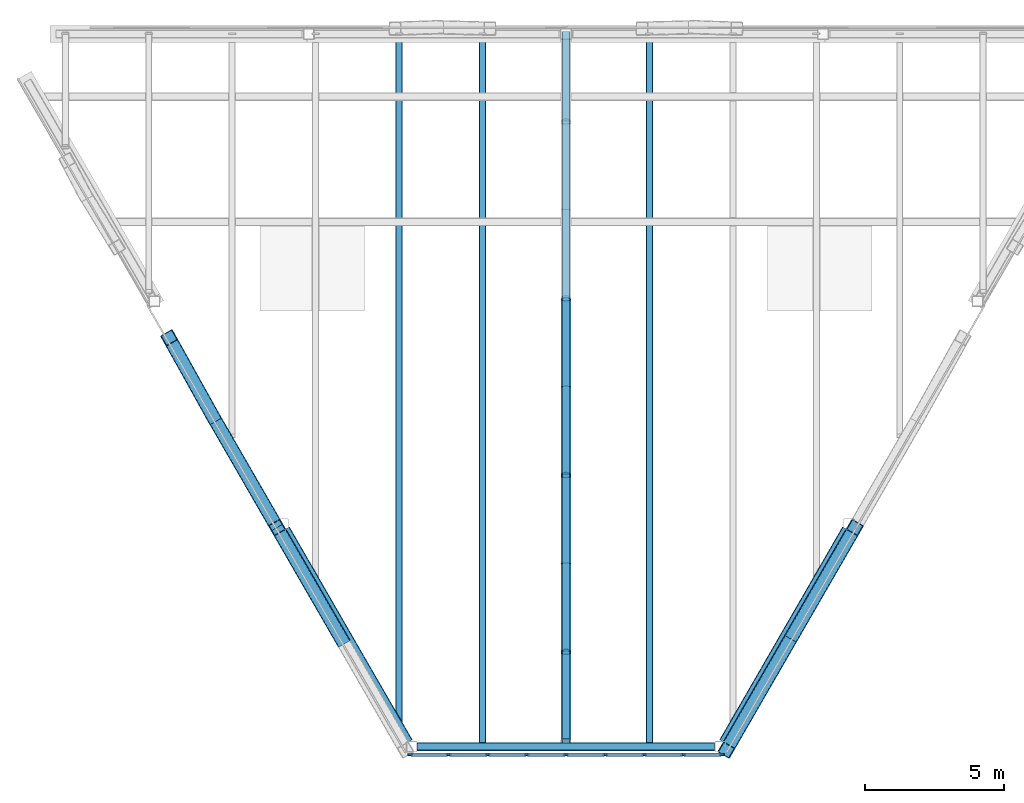
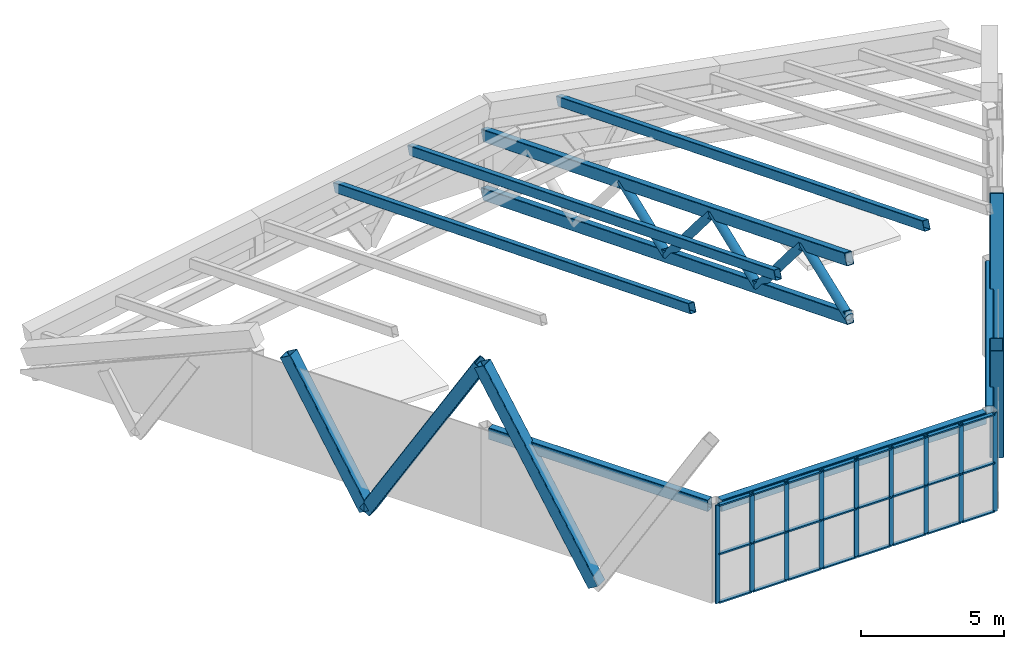
# One storey, part 2 of 6: 48 members, 3 beams, 1 element without a shape of its own.
"""IFC4 building model written with IfcOpenShell, lengths in metres."""

from ifc_helpers import new_model, si_unit, direction, frame, origin, origin_2d, place, context, subcontext, project, spatial, rectangle, hollow_rectangle, hollow_circle, extrude, material, material_profile, profile_set, type_object, element, aggregate, save


model = new_model("IFC4")

# Units and contexts
model_context = context("Model", 3, precision=1e-05, world=origin(), true_north=direction((0.0, 1.0)))
body_context = subcontext(model_context, "Body", "Model", "MODEL_VIEW")
ifc_project = project(units=[si_unit("LENGTHUNIT", "METRE"), si_unit("AREAUNIT", "SQUARE_METRE"), si_unit("VOLUMEUNIT", "CUBIC_METRE"), si_unit("PLANEANGLEUNIT", "RADIAN"), si_unit("MASSUNIT", "GRAM", prefix="KILO")], contexts=[model_context])

# Site, building, storey
site_placement = place(None, origin())
site = spatial("IfcSite", under=ifc_project, at=site_placement, CompositionType="ELEMENT")
building_placement = place(site_placement, origin())
building = spatial("IfcBuilding", under=site, at=building_placement, Name="Aloe Facet Convention Tower", CompositionType="ELEMENT")
storey_placement = place(building_placement, frame((0.0, 0.0, 293.89990234375)))
storey = spatial("IfcBuildingStorey", under=building, at=storey_placement, Name="C3", CompositionType="ELEMENT", Elevation=293.89990234375)

# Curtain wall, members
ifc_material_1 = material(Name="Aluminium, anodised", Category="aluminium")
curtain_wall_type = type_object("IfcCurtainWallType", Name="EV-CW-CROWN", PredefinedType="USERDEFINED", material=ifc_material_1)
curtain_wall_placement = place(storey_placement, origin())
curtain_wall = element("IfcCurtainWall", 1, at=curtain_wall_placement, inside=storey, type_object=curtain_wall_type, Name="CW-C3-Z09", ObjectType="CROWN SCREEN GLAZING", PredefinedType="USERDEFINED")
ifc_material_2 = material(Name="Aluminium, anodised", Category="aluminium")
ifc_material_profile_1 = material_profile(ifc_material_2, rectangle(XDim=0.06005859375, YDim=0.179931640625, at=origin_2d()), Name="AL 60x180")
ifc_profile_set_1 = profile_set([ifc_material_profile_1], Name="Aluminium, anodised")
member_type_1 = type_object("IfcMemberType", Name="EV-MULL-CROWN", PredefinedType="MULLION", material=ifc_profile_set_1)
member_1_placement = place(storey_placement, frame((74.401611328125, 108.890625, 0.0), z_axis=(0.0, 0.0, 1.0), x_axis=(0.0, 1.0, 0.0)))
member_1 = element("IfcMember", 2, at=member_1_placement, type_object=member_type_1, Name="CW-C3-Z09 mullion 1", PredefinedType="MULLION", context=body_context, shape_type="SweptSolid", body=[
    extrude(rectangle(XDim=0.06005859375, YDim=0.179931640625, at=origin_2d()), origin(), (0.0, 0.0, 1.0), 4.2001953125),
])
member_2_placement = place(storey_placement, frame((75.77880859375, 108.890625, 0.0), z_axis=(0.0, 0.0, 1.0), x_axis=(0.0, 1.0, 0.0)))
member_2 = element("IfcMember", 3, at=member_2_placement, type_object=member_type_1, Name="CW-C3-Z09 mullion 2", PredefinedType="MULLION", context=body_context, shape_type="SweptSolid", body=[
    extrude(rectangle(XDim=0.06005859375, YDim=0.179931640625, at=origin_2d()), origin(), (0.0, 0.0, 1.0), 4.2001953125),
])
member_3_placement = place(storey_placement, frame((77.185791015625, 108.890625, 0.0), z_axis=(0.0, 0.0, 1.0), x_axis=(0.0, 1.0, 0.0)))
member_3 = element("IfcMember", 4, at=member_3_placement, type_object=member_type_1, Name="CW-C3-Z09 mullion 3", PredefinedType="MULLION", context=body_context, shape_type="SweptSolid", body=[
    extrude(rectangle(XDim=0.06005859375, YDim=0.179931640625, at=origin_2d()), origin(), (0.0, 0.0, 1.0), 4.2001953125),
])
member_4_placement = place(storey_placement, frame((78.593017578125, 108.890625, 0.0), z_axis=(0.0, 0.0, 1.0), x_axis=(0.0, 1.0, 0.0)))
member_4 = element("IfcMember", 5, at=member_4_placement, type_object=member_type_1, Name="CW-C3-Z09 mullion 4", PredefinedType="MULLION", context=body_context, shape_type="SweptSolid", body=[
    extrude(rectangle(XDim=0.06005859375, YDim=0.179931640625, at=origin_2d()), origin(), (0.0, 0.0, 1.0), 4.2001953125),
])
member_5_placement = place(storey_placement, frame((80.0, 108.890625, 0.0), z_axis=(0.0, 0.0, 1.0), x_axis=(0.0, 1.0, 0.0)))
member_5 = element("IfcMember", 6, at=member_5_placement, type_object=member_type_1, Name="CW-C3-Z09 mullion 5", PredefinedType="MULLION", context=body_context, shape_type="SweptSolid", body=[
    extrude(rectangle(XDim=0.06005859375, YDim=0.179931640625, at=origin_2d()), origin(), (0.0, 0.0, 1.0), 4.2001953125),
])
member_6_placement = place(storey_placement, frame((81.406982421875, 108.890625, 0.0), z_axis=(0.0, 0.0, 1.0), x_axis=(0.0, 1.0, 0.0)))
member_6 = element("IfcMember", 7, at=member_6_placement, type_object=member_type_1, Name="CW-C3-Z09 mullion 6", PredefinedType="MULLION", context=body_context, shape_type="SweptSolid", body=[
    extrude(rectangle(XDim=0.06005859375, YDim=0.179931640625, at=origin_2d()), origin(), (0.0, 0.0, 1.0), 4.2001953125),
])
member_7_placement = place(storey_placement, frame((82.814208984375, 108.890625, 0.0), z_axis=(0.0, 0.0, 1.0), x_axis=(0.0, 1.0, 0.0)))
member_7 = element("IfcMember", 8, at=member_7_placement, type_object=member_type_1, Name="CW-C3-Z09 mullion 7", PredefinedType="MULLION", context=body_context, shape_type="SweptSolid", body=[
    extrude(rectangle(XDim=0.06005859375, YDim=0.179931640625, at=origin_2d()), origin(), (0.0, 0.0, 1.0), 4.2001953125),
])
member_8_placement = place(storey_placement, frame((84.22119140625, 108.890625, 0.0), z_axis=(0.0, 0.0, 1.0), x_axis=(0.0, 1.0, 0.0)))
member_8 = element("IfcMember", 9, at=member_8_placement, type_object=member_type_1, Name="CW-C3-Z09 mullion 8", PredefinedType="MULLION", context=body_context, shape_type="SweptSolid", body=[
    extrude(rectangle(XDim=0.06005859375, YDim=0.179931640625, at=origin_2d()), origin(), (0.0, 0.0, 1.0), 4.2001953125),
])
member_9_placement = place(storey_placement, frame((85.598388671875, 108.890625, 0.0), z_axis=(0.0, 0.0, 1.0), x_axis=(0.0, 1.0, 0.0)))
member_9 = element("IfcMember", 10, at=member_9_placement, type_object=member_type_1, Name="CW-C3-Z09 mullion 9", PredefinedType="MULLION", context=body_context, shape_type="SweptSolid", body=[
    extrude(rectangle(XDim=0.06005859375, YDim=0.179931640625, at=origin_2d()), origin(), (0.0, 0.0, 1.0), 4.2001953125),
])
ifc_material_3 = material(Name="Aluminium, anodised", Category="aluminium")
ifc_material_profile_2 = material_profile(ifc_material_3, rectangle(XDim=0.139892578125, YDim=0.06005859375, at=origin_2d()), Name="AL 140x60")
ifc_profile_set_2 = profile_set([ifc_material_profile_2], Name="Aluminium, anodised")
member_type_2 = type_object("IfcMemberType", Name="EV-TRAN-CROWN", PredefinedType="USERDEFINED", material=ifc_profile_set_2)
member_10_placement = place(storey_placement, frame((74.431640625, 108.890625, 0.030029296875), z_axis=(1.0, 0.0, 0.0), x_axis=(0.0, 1.0, 0.0)))
member_10 = element("IfcMember", 11, at=member_10_placement, type_object=member_type_2, Name="CW-C3-Z09 transom 1.1", ObjectType="TRANSOM", PredefinedType="USERDEFINED", context=body_context, shape_type="SweptSolid", body=[
    extrude(rectangle(XDim=0.139892578125, YDim=0.06005859375, at=origin_2d()), origin(), (0.0, 0.0, 1.0), 1.317138671875),
])
member_11_placement = place(storey_placement, frame((74.431640625, 108.890625, 2.10009765625), z_axis=(1.0, 0.0, 0.0), x_axis=(0.0, 1.0, 0.0)))
member_11 = element("IfcMember", 12, at=member_11_placement, type_object=member_type_2, Name="CW-C3-Z09 transom 1.2", ObjectType="TRANSOM", PredefinedType="USERDEFINED", context=body_context, shape_type="SweptSolid", body=[
    extrude(rectangle(XDim=0.139892578125, YDim=0.06005859375, at=origin_2d()), origin(), (0.0, 0.0, 1.0), 1.317138671875),
])
member_12_placement = place(storey_placement, frame((74.431640625, 108.890625, 4.170166015625), z_axis=(1.0, 0.0, 0.0), x_axis=(0.0, 1.0, 0.0)))
member_12 = element("IfcMember", 13, at=member_12_placement, type_object=member_type_2, Name="CW-C3-Z09 transom 1.3", ObjectType="TRANSOM", PredefinedType="USERDEFINED", context=body_context, shape_type="SweptSolid", body=[
    extrude(rectangle(XDim=0.139892578125, YDim=0.06005859375, at=origin_2d()), origin(), (0.0, 0.0, 1.0), 1.317138671875),
])
member_13_placement = place(storey_placement, frame((75.808837890625, 108.890625, 0.030029296875), z_axis=(1.0, 0.0, 0.0), x_axis=(0.0, 1.0, 0.0)))
member_13 = element("IfcMember", 14, at=member_13_placement, type_object=member_type_2, Name="CW-C3-Z09 transom 2.1", ObjectType="TRANSOM", PredefinedType="USERDEFINED", context=body_context, shape_type="SweptSolid", body=[
    extrude(rectangle(XDim=0.139892578125, YDim=0.06005859375, at=origin_2d()), origin(), (0.0, 0.0, 1.0), 1.346923828125),
])
member_14_placement = place(storey_placement, frame((75.808837890625, 108.890625, 2.10009765625), z_axis=(1.0, 0.0, 0.0), x_axis=(0.0, 1.0, 0.0)))
member_14 = element("IfcMember", 15, at=member_14_placement, type_object=member_type_2, Name="CW-C3-Z09 transom 2.2", ObjectType="TRANSOM", PredefinedType="USERDEFINED", context=body_context, shape_type="SweptSolid", body=[
    extrude(rectangle(XDim=0.139892578125, YDim=0.06005859375, at=origin_2d()), origin(), (0.0, 0.0, 1.0), 1.346923828125),
])
member_15_placement = place(storey_placement, frame((75.808837890625, 108.890625, 4.170166015625), z_axis=(1.0, 0.0, 0.0), x_axis=(0.0, 1.0, 0.0)))
member_15 = element("IfcMember", 16, at=member_15_placement, type_object=member_type_2, Name="CW-C3-Z09 transom 2.3", ObjectType="TRANSOM", PredefinedType="USERDEFINED", context=body_context, shape_type="SweptSolid", body=[
    extrude(rectangle(XDim=0.139892578125, YDim=0.06005859375, at=origin_2d()), origin(), (0.0, 0.0, 1.0), 1.346923828125),
])
member_16_placement = place(storey_placement, frame((77.2158203125, 108.890625, 0.030029296875), z_axis=(1.0, 0.0, 0.0), x_axis=(0.0, 1.0, 0.0)))
member_16 = element("IfcMember", 17, at=member_16_placement, type_object=member_type_2, Name="CW-C3-Z09 transom 3.1", ObjectType="TRANSOM", PredefinedType="USERDEFINED", context=body_context, shape_type="SweptSolid", body=[
    extrude(rectangle(XDim=0.139892578125, YDim=0.06005859375, at=origin_2d()), origin(), (0.0, 0.0, 1.0), 1.34716796875),
])
member_17_placement = place(storey_placement, frame((77.2158203125, 108.890625, 2.10009765625), z_axis=(1.0, 0.0, 0.0), x_axis=(0.0, 1.0, 0.0)))
member_17 = element("IfcMember", 18, at=member_17_placement, type_object=member_type_2, Name="CW-C3-Z09 transom 3.2", ObjectType="TRANSOM", PredefinedType="USERDEFINED", context=body_context, shape_type="SweptSolid", body=[
    extrude(rectangle(XDim=0.139892578125, YDim=0.06005859375, at=origin_2d()), origin(), (0.0, 0.0, 1.0), 1.34716796875),
])
member_18_placement = place(storey_placement, frame((77.2158203125, 108.890625, 4.170166015625), z_axis=(1.0, 0.0, 0.0), x_axis=(0.0, 1.0, 0.0)))
member_18 = element("IfcMember", 19, at=member_18_placement, type_object=member_type_2, Name="CW-C3-Z09 transom 3.3", ObjectType="TRANSOM", PredefinedType="USERDEFINED", context=body_context, shape_type="SweptSolid", body=[
    extrude(rectangle(XDim=0.139892578125, YDim=0.06005859375, at=origin_2d()), origin(), (0.0, 0.0, 1.0), 1.34716796875),
])
member_19_placement = place(storey_placement, frame((78.622802734375, 108.890625, 0.030029296875), z_axis=(1.0, 0.0, 0.0), x_axis=(0.0, 1.0, 0.0)))
member_19 = element("IfcMember", 20, at=member_19_placement, type_object=member_type_2, Name="CW-C3-Z09 transom 4.1", ObjectType="TRANSOM", PredefinedType="USERDEFINED", context=body_context, shape_type="SweptSolid", body=[
    extrude(rectangle(XDim=0.139892578125, YDim=0.06005859375, at=origin_2d()), origin(), (0.0, 0.0, 1.0), 1.34716796875),
])
member_20_placement = place(storey_placement, frame((78.622802734375, 108.890625, 2.10009765625), z_axis=(1.0, 0.0, 0.0), x_axis=(0.0, 1.0, 0.0)))
member_20 = element("IfcMember", 21, at=member_20_placement, type_object=member_type_2, Name="CW-C3-Z09 transom 4.2", ObjectType="TRANSOM", PredefinedType="USERDEFINED", context=body_context, shape_type="SweptSolid", body=[
    extrude(rectangle(XDim=0.139892578125, YDim=0.06005859375, at=origin_2d()), origin(), (0.0, 0.0, 1.0), 1.34716796875),
])
member_21_placement = place(storey_placement, frame((78.622802734375, 108.890625, 4.170166015625), z_axis=(1.0, 0.0, 0.0), x_axis=(0.0, 1.0, 0.0)))
member_21 = element("IfcMember", 22, at=member_21_placement, type_object=member_type_2, Name="CW-C3-Z09 transom 4.3", ObjectType="TRANSOM", PredefinedType="USERDEFINED", context=body_context, shape_type="SweptSolid", body=[
    extrude(rectangle(XDim=0.139892578125, YDim=0.06005859375, at=origin_2d()), origin(), (0.0, 0.0, 1.0), 1.34716796875),
])
member_22_placement = place(storey_placement, frame((80.030029296875, 108.890625, 0.030029296875), z_axis=(1.0, 0.0, 0.0), x_axis=(0.0, 1.0, 0.0)))
member_22 = element("IfcMember", 23, at=member_22_placement, type_object=member_type_2, Name="CW-C3-Z09 transom 5.1", ObjectType="TRANSOM", PredefinedType="USERDEFINED", context=body_context, shape_type="SweptSolid", body=[
    extrude(rectangle(XDim=0.139892578125, YDim=0.06005859375, at=origin_2d()), origin(), (0.0, 0.0, 1.0), 1.34716796875),
])
member_23_placement = place(storey_placement, frame((80.030029296875, 108.890625, 2.10009765625), z_axis=(1.0, 0.0, 0.0), x_axis=(0.0, 1.0, 0.0)))
member_23 = element("IfcMember", 24, at=member_23_placement, type_object=member_type_2, Name="CW-C3-Z09 transom 5.2", ObjectType="TRANSOM", PredefinedType="USERDEFINED", context=body_context, shape_type="SweptSolid", body=[
    extrude(rectangle(XDim=0.139892578125, YDim=0.06005859375, at=origin_2d()), origin(), (0.0, 0.0, 1.0), 1.34716796875),
])
member_24_placement = place(storey_placement, frame((80.030029296875, 108.890625, 4.170166015625), z_axis=(1.0, 0.0, 0.0), x_axis=(0.0, 1.0, 0.0)))
member_24 = element("IfcMember", 25, at=member_24_placement, type_object=member_type_2, Name="CW-C3-Z09 transom 5.3", ObjectType="TRANSOM", PredefinedType="USERDEFINED", context=body_context, shape_type="SweptSolid", body=[
    extrude(rectangle(XDim=0.139892578125, YDim=0.06005859375, at=origin_2d()), origin(), (0.0, 0.0, 1.0), 1.34716796875),
])
member_25_placement = place(storey_placement, frame((81.43701171875, 108.890625, 0.030029296875), z_axis=(1.0, 0.0, 0.0), x_axis=(0.0, 1.0, 0.0)))
member_25 = element("IfcMember", 26, at=member_25_placement, type_object=member_type_2, Name="CW-C3-Z09 transom 6.1", ObjectType="TRANSOM", PredefinedType="USERDEFINED", context=body_context, shape_type="SweptSolid", body=[
    extrude(rectangle(XDim=0.139892578125, YDim=0.06005859375, at=origin_2d()), origin(), (0.0, 0.0, 1.0), 1.34716796875),
])
member_26_placement = place(storey_placement, frame((81.43701171875, 108.890625, 2.10009765625), z_axis=(1.0, 0.0, 0.0), x_axis=(0.0, 1.0, 0.0)))
member_26 = element("IfcMember", 27, at=member_26_placement, type_object=member_type_2, Name="CW-C3-Z09 transom 6.2", ObjectType="TRANSOM", PredefinedType="USERDEFINED", context=body_context, shape_type="SweptSolid", body=[
    extrude(rectangle(XDim=0.139892578125, YDim=0.06005859375, at=origin_2d()), origin(), (0.0, 0.0, 1.0), 1.34716796875),
])
member_27_placement = place(storey_placement, frame((81.43701171875, 108.890625, 4.170166015625), z_axis=(1.0, 0.0, 0.0), x_axis=(0.0, 1.0, 0.0)))
member_27 = element("IfcMember", 28, at=member_27_placement, type_object=member_type_2, Name="CW-C3-Z09 transom 6.3", ObjectType="TRANSOM", PredefinedType="USERDEFINED", context=body_context, shape_type="SweptSolid", body=[
    extrude(rectangle(XDim=0.139892578125, YDim=0.06005859375, at=origin_2d()), origin(), (0.0, 0.0, 1.0), 1.34716796875),
])
member_28_placement = place(storey_placement, frame((82.84423828125, 108.890625, 0.030029296875), z_axis=(1.0, 0.0, 0.0), x_axis=(0.0, 1.0, 0.0)))
member_28 = element("IfcMember", 29, at=member_28_placement, type_object=member_type_2, Name="CW-C3-Z09 transom 7.1", ObjectType="TRANSOM", PredefinedType="USERDEFINED", context=body_context, shape_type="SweptSolid", body=[
    extrude(rectangle(XDim=0.139892578125, YDim=0.06005859375, at=origin_2d()), origin(), (0.0, 0.0, 1.0), 1.346923828125),
])
member_29_placement = place(storey_placement, frame((82.84423828125, 108.890625, 2.10009765625), z_axis=(1.0, 0.0, 0.0), x_axis=(0.0, 1.0, 0.0)))
member_29 = element("IfcMember", 30, at=member_29_placement, type_object=member_type_2, Name="CW-C3-Z09 transom 7.2", ObjectType="TRANSOM", PredefinedType="USERDEFINED", context=body_context, shape_type="SweptSolid", body=[
    extrude(rectangle(XDim=0.139892578125, YDim=0.06005859375, at=origin_2d()), origin(), (0.0, 0.0, 1.0), 1.346923828125),
])
member_30_placement = place(storey_placement, frame((82.84423828125, 108.890625, 4.170166015625), z_axis=(1.0, 0.0, 0.0), x_axis=(0.0, 1.0, 0.0)))
member_30 = element("IfcMember", 31, at=member_30_placement, type_object=member_type_2, Name="CW-C3-Z09 transom 7.3", ObjectType="TRANSOM", PredefinedType="USERDEFINED", context=body_context, shape_type="SweptSolid", body=[
    extrude(rectangle(XDim=0.139892578125, YDim=0.06005859375, at=origin_2d()), origin(), (0.0, 0.0, 1.0), 1.346923828125),
])
member_31_placement = place(storey_placement, frame((84.251220703125, 108.890625, 0.030029296875), z_axis=(1.0, 0.0, 0.0), x_axis=(0.0, 1.0, 0.0)))
member_31 = element("IfcMember", 32, at=member_31_placement, type_object=member_type_2, Name="CW-C3-Z09 transom 8.1", ObjectType="TRANSOM", PredefinedType="USERDEFINED", context=body_context, shape_type="SweptSolid", body=[
    extrude(rectangle(XDim=0.139892578125, YDim=0.06005859375, at=origin_2d()), origin(), (0.0, 0.0, 1.0), 1.317138671875),
])
member_32_placement = place(storey_placement, frame((84.251220703125, 108.890625, 2.10009765625), z_axis=(1.0, 0.0, 0.0), x_axis=(0.0, 1.0, 0.0)))
member_32 = element("IfcMember", 33, at=member_32_placement, type_object=member_type_2, Name="CW-C3-Z09 transom 8.2", ObjectType="TRANSOM", PredefinedType="USERDEFINED", context=body_context, shape_type="SweptSolid", body=[
    extrude(rectangle(XDim=0.139892578125, YDim=0.06005859375, at=origin_2d()), origin(), (0.0, 0.0, 1.0), 1.317138671875),
])
member_33_placement = place(storey_placement, frame((84.251220703125, 108.890625, 4.170166015625), z_axis=(1.0, 0.0, 0.0), x_axis=(0.0, 1.0, 0.0)))
member_33 = element("IfcMember", 34, at=member_33_placement, type_object=member_type_2, Name="CW-C3-Z09 transom 8.3", ObjectType="TRANSOM", PredefinedType="USERDEFINED", context=body_context, shape_type="SweptSolid", body=[
    extrude(rectangle(XDim=0.139892578125, YDim=0.06005859375, at=origin_2d()), origin(), (0.0, 0.0, 1.0), 1.317138671875),
])
aggregate(curtain_wall, [member_1, member_2, member_3, member_4, member_5, member_6, member_7, member_8, member_9, member_10, member_11, member_12, member_13, member_14, member_15, member_16, member_17, member_18, member_19, member_20, member_21, member_22, member_23, member_24, member_25, member_26, member_27, member_28, member_29, member_30, member_31, member_32, member_33])

# Members
ifc_material_4 = material(Name="Steel S355, bronze oxide finish", Category="steel")
ifc_material_profile_3 = material_profile(ifc_material_4, hollow_rectangle(XDim=0.5, YDim=0.5, WallThickness=0.02490234375, InnerFilletRadius=0.02490234375, OuterFilletRadius=0.050048828125, at=origin_2d()), Name="SHS 500x500x25")
ifc_profile_set_3 = profile_set([ifc_material_profile_3], Name="Steel S355, bronze oxide finish")
member_type_3 = type_object("IfcMemberType", Name="STW-CROWN FRAME BRACE", PredefinedType="BRACE", material=ifc_profile_set_3)
member_34_placement = place(storey_placement, frame((67.302734375, 121.062744140625, -0.849853515625), z_axis=(-0.248005116603, 0.445383566835, 0.860306306226), x_axis=(-0.873682344052, -0.486496825984, 0.0)))
element("IfcMember", 35, at=member_34_placement, inside=storey, type_object=member_type_3, Name="Crown frame brace CF-B-B07-N3", PredefinedType="BRACE", context=body_context, shape_type="SweptSolid", body=[
    extrude(hollow_rectangle(XDim=0.5, YDim=0.5, WallThickness=0.02490234375, InnerFilletRadius=0.02490234375, OuterFilletRadius=0.050048828125, at=origin_2d()), origin(), (0.0, 0.0, 1.0), 6.331787109375),
])
for number, where, z_axis, x_axis, name in (
    (36, (67.302734375, 121.062744140625, -0.849853515625), (0.254873462398, -0.441457532229, 0.860322477565), (0.866027240882, 0.49999681804, 0.0), "Crown frame brace CF-B-B07-N4"),
    (37, (71.92431640625, 113.057861328125, -0.849853515625), (-0.254873462398, 0.441457532229, 0.860322477565), (-0.866027240882, -0.49999681804, 0.0), "Crown frame brace CF-B-B08-N3"),
    (38, (88.07568359375, 113.057861328125, -0.849853515625), (-0.254873462398, -0.441457532229, 0.860322477565), (0.866027240882, -0.49999681804, 0.0), "Crown frame brace CF-B-B10-N3"),
    (39, (88.07568359375, 113.057861328125, -0.849853515625), (0.254873462398, 0.441457532229, 0.860322477565), (-0.866027240882, 0.49999681804, 0.0), "Crown frame brace CF-B-B10-N4"),
):
    element("IfcMember", number, at=place(storey_placement, frame(where, z_axis=z_axis, x_axis=x_axis)), inside=storey, type_object=member_type_3, Name=name, PredefinedType="BRACE", context=body_context, shape_type="SweptSolid", body=[
        extrude(hollow_rectangle(XDim=0.5, YDim=0.5, WallThickness=0.02490234375, InnerFilletRadius=0.02490234375, OuterFilletRadius=0.050048828125, at=origin_2d()), origin(), (0.0, 0.0, 1.0), 9.06640625),
    ])
ifc_material_5 = material(Name="Steel S355", Category="steel")
ifc_material_profile_4 = material_profile(ifc_material_5, hollow_rectangle(XDim=0.300048828125, YDim=0.5, WallThickness=0.02001953125, InnerFilletRadius=0.02001953125, OuterFilletRadius=0.0400390625, at=origin_2d()), Name="RHS 500x300x20")
ifc_profile_set_4 = profile_set([ifc_material_profile_4], Name="Steel S355")
member_type_4 = type_object("IfcMemberType", Name="STW-CROWN FRAME FOLD CHORD", PredefinedType="CHORD", material=ifc_profile_set_4)
for number, where, z_axis, x_axis, name in (
    (40, (80.0, 134.800048828125, 2.32958984375), (0.0, -0.929131297586, 0.369749958549), (1.0, 0.0, 0.0), "Crown frame fold chord CF-FC-T"),
    (41, (80.0, 134.800048828125, -0.17041015625), (0.0, -0.929131297586, 0.369749958549), (1.0, 0.0, 0.0), "Crown frame fold chord CF-FC-B"),
):
    element("IfcMember", number, at=place(storey_placement, frame(where, z_axis=z_axis, x_axis=x_axis)), inside=storey, type_object=member_type_4, Name=name, PredefinedType="CHORD", context=body_context, shape_type="SweptSolid", body=[
        extrude(hollow_rectangle(XDim=0.300048828125, YDim=0.5, WallThickness=0.02001953125, InnerFilletRadius=0.02001953125, OuterFilletRadius=0.0400390625, at=origin_2d()), origin(), (0.0, 0.0, 1.0), 27.3583984375),
    ])
ifc_material_6 = material(Name="Steel S355", Category="steel")
ifc_material_profile_5 = material_profile(ifc_material_6, hollow_circle(Radius=0.177734375, WallThickness=0.01611328125, at=origin_2d()), Name="CHS 355.6x16")
ifc_profile_set_5 = profile_set([ifc_material_profile_5], Name="Steel S355")
member_type_5 = type_object("IfcMemberType", Name="STW-CROWN FRAME FOLD DIAGONAL", PredefinedType="BRACE", material=ifc_profile_set_5)
member_35_placement = place(storey_placement, frame((80.0, 125.267578125, 6.123046875), z_axis=(0.0, -0.932004671541, -0.362446261155), x_axis=(1.0, 0.0, 0.0)))
element("IfcMember", 42, at=member_35_placement, inside=storey, type_object=member_type_5, Name="Crown frame fold diagonal CF-FD-04", PredefinedType="BRACE", context=body_context, shape_type="SweptSolid", body=[
    extrude(hollow_circle(Radius=0.177734375, WallThickness=0.01611328125, at=origin_2d()), origin(), (0.0, 0.0, 1.0), 3.408935546875),
])
member_36_placement = place(storey_placement, frame((80.0, 122.09033203125, 4.887451171875), z_axis=(0.0, -0.645022009365, 0.764163992501), x_axis=(1.0, 0.0, 0.0)))
element("IfcMember", 43, at=member_36_placement, inside=storey, type_object=member_type_5, Name="Crown frame fold diagonal CF-FD-05", PredefinedType="BRACE", context=body_context, shape_type="SweptSolid", body=[
    extrude(hollow_circle(Radius=0.177734375, WallThickness=0.01611328125, at=origin_2d()), origin(), (0.0, 0.0, 1.0), 4.92626953125),
])
member_37_placement = place(storey_placement, frame((80.0, 118.912841796875, 8.65185546875), z_axis=(0.0, -0.932014078539, -0.362422070802), x_axis=(1.0, 0.0, 0.0)))
element("IfcMember", 44, at=member_37_placement, inside=storey, type_object=member_type_5, Name="Crown frame fold diagonal CF-FD-06", PredefinedType="BRACE", context=body_context, shape_type="SweptSolid", body=[
    extrude(hollow_circle(Radius=0.177734375, WallThickness=0.01611328125, at=origin_2d()), origin(), (0.0, 0.0, 1.0), 3.4091796875),
])
member_38_placement = place(storey_placement, frame((80.0, 115.7353515625, 7.416259765625), z_axis=(0.0, -0.644997581761, 0.764184610891), x_axis=(1.0, 0.0, 0.0)))
element("IfcMember", 45, at=member_38_placement, inside=storey, type_object=member_type_5, Name="Crown frame fold diagonal CF-FD-07", PredefinedType="BRACE", context=body_context, shape_type="SweptSolid", body=[
    extrude(hollow_circle(Radius=0.177734375, WallThickness=0.01611328125, at=origin_2d()), origin(), (0.0, 0.0, 1.0), 4.92626953125),
])
member_39_placement = place(storey_placement, frame((80.0, 112.557861328125, 11.180908203125), z_axis=(0.0, -0.932004671541, -0.362446261155), x_axis=(1.0, 0.0, 0.0)))
element("IfcMember", 46, at=member_39_placement, inside=storey, type_object=member_type_5, Name="Crown frame fold diagonal CF-FD-08", PredefinedType="BRACE", context=body_context, shape_type="SweptSolid", body=[
    extrude(hollow_circle(Radius=0.177734375, WallThickness=0.01611328125, at=origin_2d()), origin(), (0.0, 0.0, 1.0), 3.408935546875),
])
ifc_material_7 = material(Name="Steel S355", Category="steel")
ifc_material_profile_6 = material_profile(ifc_material_7, hollow_rectangle(XDim=0.25, YDim=0.39990234375, WallThickness=0.01611328125, InnerFilletRadius=0.01611328125, OuterFilletRadius=0.031982421875, at=origin_2d()), Name="RHS 400x250x16")
ifc_profile_set_6 = profile_set([ifc_material_profile_6], Name="Steel S355")
member_type_6 = type_object("IfcMemberType", Name="STW-CROWN FRAME PURLIN", PredefinedType="PURLIN", material=ifc_profile_set_6)
for number, where, z_axis, x_axis, name in (
    (47, (77.0, 134.800048828125, 2.73974609375), (0.0, -0.929135315467, 0.369739862), (1.0, 0.0, 0.0), "Crown frame purlin CF-PU-W01"),
    (48, (83.0, 134.800048828125, 2.73974609375), (0.0, -0.929135315467, 0.369739862), (1.0, 0.0, 0.0), "Crown frame purlin CF-PU-E02"),
):
    element("IfcMember", number, at=place(storey_placement, frame(where, z_axis=z_axis, x_axis=x_axis)), inside=storey, type_object=member_type_6, Name=name, PredefinedType="PURLIN", context=body_context, shape_type="SweptSolid", body=[
        extrude(hollow_rectangle(XDim=0.25, YDim=0.39990234375, WallThickness=0.01611328125, InnerFilletRadius=0.01611328125, OuterFilletRadius=0.031982421875, at=origin_2d()), origin(), (0.0, 0.0, 1.0), 27.57373046875),
    ])
member_40_placement = place(storey_placement, frame((74.0, 134.800048828125, 2.19970703125), z_axis=(0.0, -0.929134070311, 0.369742990991), x_axis=(1.0, 0.0, 0.0)))
element("IfcMember", 49, at=member_40_placement, inside=storey, type_object=member_type_6, Name="Crown frame purlin CF-PU-W03", PredefinedType="PURLIN", context=body_context, shape_type="SweptSolid", body=[
    extrude(hollow_rectangle(XDim=0.25, YDim=0.39990234375, WallThickness=0.01611328125, InnerFilletRadius=0.01611328125, OuterFilletRadius=0.031982421875, at=origin_2d()), origin(), (0.0, 0.0, 1.0), 26.7314453125),
])

# Beams
ifc_material_8 = material(Name="Steel S355, bronze oxide finish", Category="steel")
ifc_material_profile_7 = material_profile(ifc_material_8, hollow_rectangle(XDim=0.300048828125, YDim=0.5, WallThickness=0.02001953125, InnerFilletRadius=0.02001953125, OuterFilletRadius=0.0400390625, at=origin_2d()), Name="RHS 500x300x20")
ifc_profile_set_7 = profile_set([ifc_material_profile_7], Name="Steel S355, bronze oxide finish")
beam_type = type_object("IfcBeamType", Name="STW-CROWN FRAME RING", PredefinedType="BEAM", material=ifc_profile_set_7)
beam_1_placement = place(storey_placement, frame((69.93017578125, 117.011962890625, 3.9501953125), z_axis=(0.49999330673, -0.866029268111, 0.0), x_axis=(0.866029268111, 0.49999330673, 0.0)))
element("IfcBeam", 50, at=beam_1_placement, inside=storey, type_object=beam_type, Name="Crown frame ring CF-R-B08-C4", PredefinedType="BEAM", context=body_context, shape_type="SweptSolid", body=[
    extrude(hollow_rectangle(XDim=0.300048828125, YDim=0.5, WallThickness=0.02001953125, InnerFilletRadius=0.02001953125, OuterFilletRadius=0.0400390625, at=origin_2d()), origin(), (0.0, 0.0, 1.0), 8.8427734375),
])
beam_2_placement = place(storey_placement, frame((74.651611328125, 109.180419921875, 3.9501953125), z_axis=(1.0, 0.0, 0.0), x_axis=(0.0, 1.0, 0.0)))
element("IfcBeam", 51, at=beam_2_placement, inside=storey, type_object=beam_type, Name="Crown frame ring CF-R-B09-C4", PredefinedType="BEAM", context=body_context, shape_type="SweptSolid", body=[
    extrude(hollow_rectangle(XDim=0.300048828125, YDim=0.5, WallThickness=0.02001953125, InnerFilletRadius=0.02001953125, OuterFilletRadius=0.0400390625, at=origin_2d()), origin(), (0.0, 0.0, 1.0), 10.69677734375),
])
beam_3_placement = place(storey_placement, frame((85.6484375, 109.353759765625, 3.9501953125), z_axis=(0.49999330673, 0.866029268111, 0.0), x_axis=(-0.866029268111, 0.49999330673, 0.0)))
element("IfcBeam", 52, at=beam_3_placement, inside=storey, type_object=beam_type, Name="Crown frame ring CF-R-B10-C4", PredefinedType="BEAM", context=body_context, shape_type="SweptSolid", body=[
    extrude(hollow_rectangle(XDim=0.300048828125, YDim=0.5, WallThickness=0.02001953125, InnerFilletRadius=0.02001953125, OuterFilletRadius=0.0400390625, at=origin_2d()), origin(), (0.0, 0.0, 1.0), 8.8427734375),
])

save(model, "model.ifc")
